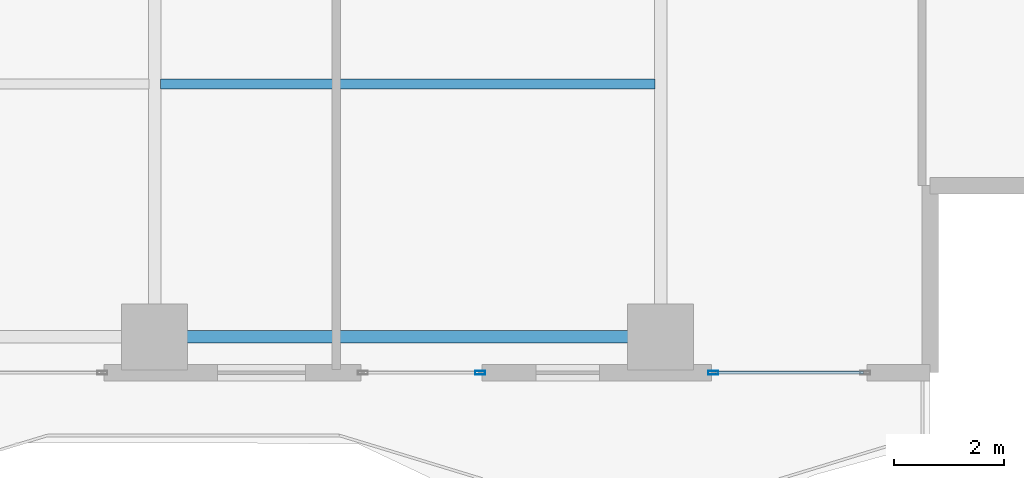
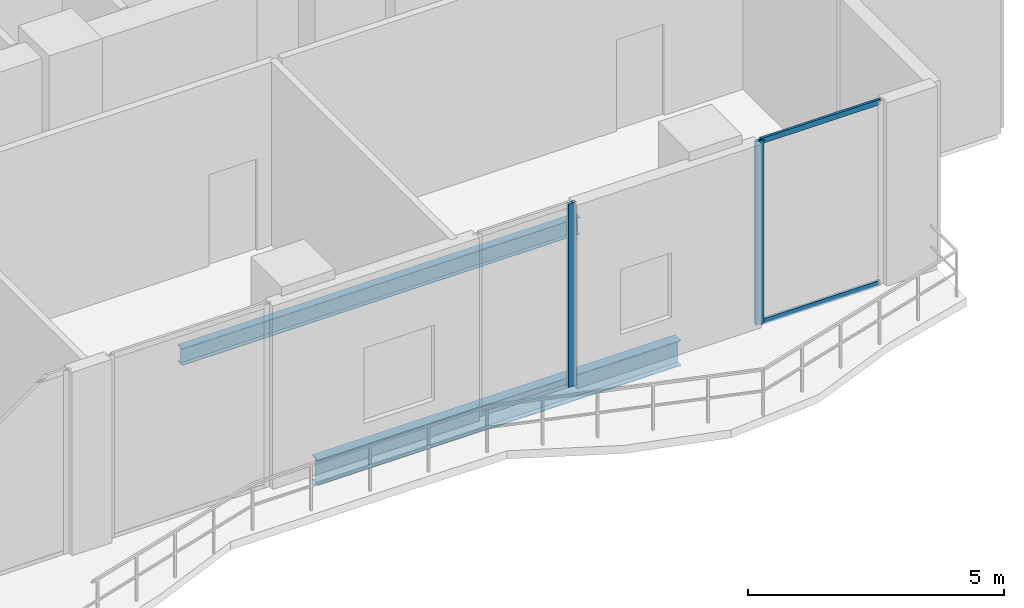
# One storey, part 9 of 31: 4 members, 2 beams, 2 elements without a shape of their own.
"""IFC4 building model written with IfcOpenShell, lengths in metres."""

from ifc_helpers import new_model, si_unit, direction, frame, origin, origin_2d, place, context, subcontext, project, spatial, hollow_rectangle, i_section, extrude, material, layer, layer_set, material_profile, profile_set, type_object, element, aggregate, save


model = new_model("IFC4")

# Units and contexts
model_context = context("Model", 3, precision=1e-05, world=origin(), true_north=direction((0.0, 1.0)))
body_context = subcontext(model_context, "Body", "Model", "MODEL_VIEW")
ifc_project = project(units=[si_unit("LENGTHUNIT", "METRE"), si_unit("AREAUNIT", "SQUARE_METRE"), si_unit("VOLUMEUNIT", "CUBIC_METRE"), si_unit("PLANEANGLEUNIT", "RADIAN"), si_unit("MASSUNIT", "GRAM", prefix="KILO")], contexts=[model_context])

# Site, building, storey
site_placement = place(None, origin())
site = spatial("IfcSite", under=ifc_project, at=site_placement, CompositionType="ELEMENT")
building_placement = place(site_placement, origin())
building = spatial("IfcBuilding", under=site, at=building_placement, Name="Zuhayl Quay Hotel", CompositionType="ELEMENT")
storey_placement = place(building_placement, frame((0.0, 0.0, 172.800048828125)))
storey = spatial("IfcBuildingStorey", under=building, at=storey_placement, Name="L43", CompositionType="ELEMENT", Elevation=172.800048828125)

# Beams
ifc_material_1 = material(Name="Steel ASTM A992 Grade 50", Category="steel")
ifc_material_profile_1 = material_profile(ifc_material_1, i_section(OverallWidth=0.22802734375, OverallDepth=0.60693359375, WebThickness=0.01123046875, FlangeThickness=0.017333984375, at=origin_2d()), Name="W24X76")
ifc_profile_set_1 = profile_set([ifc_material_profile_1], Name="Steel ASTM A992 Grade 50")
beam_type_1 = type_object("IfcBeamType", Name="BM_B3_W24X76", PredefinedType="BEAM", material=ifc_profile_set_1)
beam_1_placement = place(storey_placement, frame((5.10009765625, -6.949951171875, -0.5234375), z_axis=(1.0, 0.0, 0.0), x_axis=(0.0, 1.0, 0.0)))
element("IfcBeam", 1, at=beam_1_placement, inside=storey, type_object=beam_type_1, Name="L43 Floor Beam RG_L43_03", PredefinedType="BEAM", context=body_context, shape_type="SweptSolid", body=[
    extrude(i_section(OverallWidth=0.22802734375, OverallDepth=0.60693359375, WebThickness=0.01123046875, FlangeThickness=0.017333984375, at=origin_2d()), origin(), (0.0, 0.0, 1.0), 8.199951171875),
])
ifc_material_profile_2 = material_profile(ifc_material_1, i_section(OverallWidth=0.177978515625, OverallDepth=0.406005859375, WebThickness=0.0078125, FlangeThickness=0.0126953125, at=origin_2d()), Name="W16X40")
ifc_profile_set_2 = profile_set([ifc_material_profile_2], Name="Steel ASTM A992 Grade 50")
beam_type_2 = type_object("IfcBeamType", Name="BM_J2B_W16X40", PredefinedType="JOIST", material=ifc_profile_set_2)
beam_2_placement = place(storey_placement, frame((4.7060546875, -2.35009765625, -0.423095703125), z_axis=(1.0, 0.0, 0.0), x_axis=(0.0, 1.0, 0.0)))
element("IfcBeam", 2, at=beam_2_placement, inside=storey, type_object=beam_type_2, Name="L43 Floor Beam FJ_L43_7_3", PredefinedType="JOIST", context=body_context, shape_type="SweptSolid", body=[
    extrude(i_section(OverallWidth=0.177978515625, OverallDepth=0.406005859375, WebThickness=0.0078125, FlangeThickness=0.0126953125, at=origin_2d()), origin(), (0.0, 0.0, 1.0), 8.988037109375),
])

# Curtain wall, member
ifc_material_2 = material(Name="Anodised Aluminium 6063-T6", Category="aluminium")
ifc_layer = layer(ifc_material_2, 0.175048828125, Name="Anodised Aluminium 6063-T6", Category="aluminium")
ifc_layer_set = layer_set([ifc_layer], Name="Anodised Aluminium 6063-T6")
curtain_wall_type = type_object("IfcCurtainWallType", Name="CW_SYS_Z3", PredefinedType="USERDEFINED", material=ifc_layer_set)
curtain_wall_1_placement = place(storey_placement, origin())
curtain_wall_1 = element("IfcCurtainWall", 3, at=curtain_wall_1_placement, inside=storey, type_object=curtain_wall_type, Name="L43 Curtain Wall ENV_L43_S_CW1", ObjectType="UNITISED CURTAIN WALL", PredefinedType="USERDEFINED")
ifc_material_3 = material(Name="Black-anodised aluminium 6063-T6", Category="aluminium")
ifc_material_profile_3 = material_profile(ifc_material_3, hollow_rectangle(XDim=0.06494140625, YDim=0.179931640625, WallThickness=0.00341796875, at=origin_2d()), Name="ALU180X65")
ifc_profile_set_3 = profile_set([ifc_material_profile_3], Name="Black-anodised aluminium 6063-T6")
member_type_1 = type_object("IfcMemberType", Name="MB_CW_MUL_180", PredefinedType="MULLION", material=ifc_profile_set_3)
member_1_placement = place(storey_placement, frame((14.75244140625, -7.60009765625, 0.0), z_axis=(0.0, 0.0, 1.0), x_axis=(0.0, -1.0, 0.0)))
member_1 = element("IfcMember", 4, at=member_1_placement, type_object=member_type_1, Name="CW-Z3 mullion 2", PredefinedType="MULLION", context=body_context, shape_type="SweptSolid", body=[
    extrude(hollow_rectangle(XDim=0.06494140625, YDim=0.179931640625, WallThickness=0.00341796875, at=origin_2d()), origin(), (0.0, 0.0, 1.0), 4.3798828125),
])

curtain_wall_2_placement = place(storey_placement, origin())
curtain_wall_2 = element("IfcCurtainWall", 5, at=curtain_wall_2_placement, inside=storey, type_object=curtain_wall_type, Name="L43 Curtain Wall ENV_L43_S_CW2", ObjectType="UNITISED CURTAIN WALL", PredefinedType="USERDEFINED")
member_2_placement = place(storey_placement, frame((10.517578125, -7.60009765625, 0.0), z_axis=(0.0, 0.0, 1.0), x_axis=(0.0, -1.0, 0.0)))
member_2 = element("IfcMember", 6, at=member_2_placement, type_object=member_type_1, Name="CW-Z3 mullion 1", PredefinedType="MULLION", context=body_context, shape_type="SweptSolid", body=[
    extrude(hollow_rectangle(XDim=0.06494140625, YDim=0.179931640625, WallThickness=0.00341796875, at=origin_2d()), origin(), (0.0, 0.0, 1.0), 4.3798828125),
])
aggregate(curtain_wall_2, [member_2])

# Member
ifc_material_profile_4 = material_profile(ifc_material_3, hollow_rectangle(XDim=0.054931640625, YDim=0.1298828125, WallThickness=0.0029296875, at=origin_2d()), Name="ALU130X55")
ifc_profile_set_4 = profile_set([ifc_material_profile_4], Name="Black-anodised aluminium 6063-T6")
member_type_2 = type_object("IfcMemberType", Name="MB_CW_TRN_130", PredefinedType="USERDEFINED", material=ifc_profile_set_4)
member_3_placement = place(storey_placement, frame((17.485107421875, -7.60009765625, 0.02734375), z_axis=(-1.0, 0.0, 0.0), x_axis=(0.0, -1.0, 0.0)))
member_3 = element("IfcMember", 7, at=member_3_placement, type_object=member_type_2, Name="CW-Z3 transom 1.1", ObjectType="TRANSOM", PredefinedType="USERDEFINED", context=body_context, shape_type="SweptSolid", body=[
    extrude(hollow_rectangle(XDim=0.054931640625, YDim=0.1298828125, WallThickness=0.0029296875, at=origin_2d()), origin(), (0.0, 0.0, 1.0), 2.7001953125),
])

member_4_placement = place(storey_placement, frame((17.485107421875, -7.60009765625, 4.3525390625), z_axis=(-1.0, 0.0, 0.0), x_axis=(0.0, -1.0, 0.0)))
member_4 = element("IfcMember", 8, at=member_4_placement, type_object=member_type_2, Name="CW-Z3 transom 1.2", ObjectType="TRANSOM", PredefinedType="USERDEFINED", context=body_context, shape_type="SweptSolid", body=[
    extrude(hollow_rectangle(XDim=0.054931640625, YDim=0.1298828125, WallThickness=0.0029296875, at=origin_2d()), origin(), (0.0, 0.0, 1.0), 2.7001953125),
])

aggregate(curtain_wall_1, [member_1, member_3, member_4])

save(model, "model.ifc")
